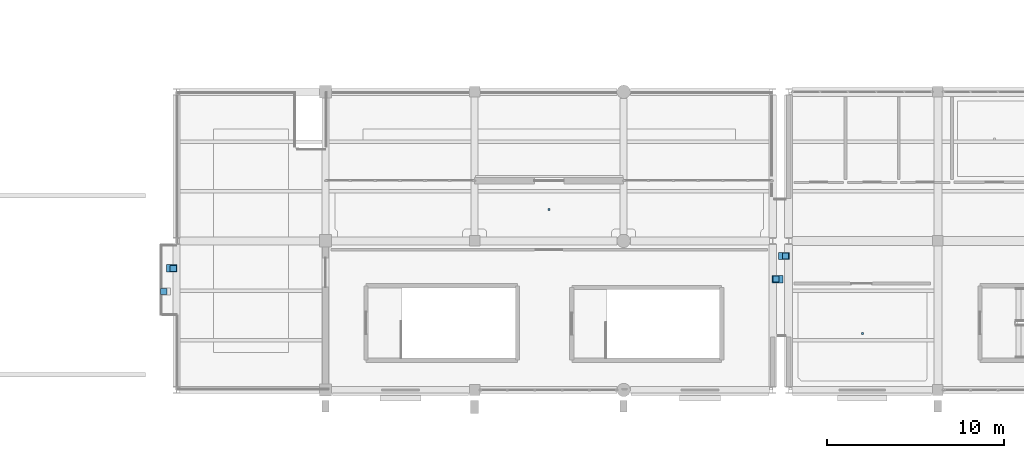
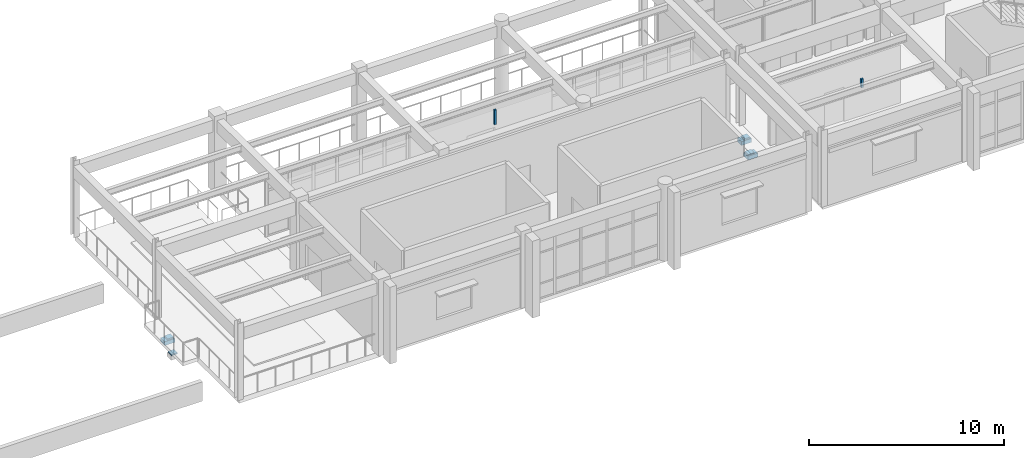
# One storey, part 117 of 139: 9 discrete accessories.
"""IFC4 building model written with IfcOpenShell, lengths in metres."""

from ifc_helpers import new_model, si_unit, direction, frame, origin, origin_2d, place, context, subcontext, project, spatial, rectangle, extrude, material, layer, layer_set, type_object, element, save


model = new_model("IFC4")

# Units and contexts
model_context = context("Model", 3, precision=1e-05, world=origin(), true_north=direction((0.0, 1.0)))
body_context = subcontext(model_context, "Body", "Model", "MODEL_VIEW")
ifc_project = project(units=[si_unit("LENGTHUNIT", "METRE"), si_unit("AREAUNIT", "SQUARE_METRE"), si_unit("VOLUMEUNIT", "CUBIC_METRE"), si_unit("PLANEANGLEUNIT", "RADIAN"), si_unit("MASSUNIT", "GRAM", prefix="KILO")], contexts=[model_context])

# Site, building, storey
site_placement = place(None, origin())
site = spatial("IfcSite", under=ifc_project, at=site_placement, CompositionType="ELEMENT")
building_placement = place(site_placement, origin())
building = spatial("IfcBuilding", under=site, at=building_placement, Name="Canglan Escarpment Cableway Terminal", CompositionType="ELEMENT")
storey_placement = place(building_placement, frame((0.0, 0.0, 14.39990234375)))
storey = spatial("IfcBuildingStorey", under=building, at=storey_placement, Name="L03", CompositionType="ELEMENT", Elevation=14.39990234375)

# Discrete accessories
ifc_material_1 = material(Name="Steel Q355B", Category="steel")
ifc_layer_1 = layer(ifc_material_1, 0.159912109375, Name="Steel Q355B")
ifc_layer_set_1 = layer_set([ifc_layer_1], Name="Steel Q355B")
discrete_accessory_type_1 = type_object("IfcDiscreteAccessoryType", Name="ACC-BRACKET-01", PredefinedType="BRACKET", material=ifc_layer_set_1)
discrete_accessory_1_placement = place(storey_placement, frame((98.0, 18.179931640625, 3.6103515625), z_axis=(0.0, 0.0, 1.0), x_axis=(1.0, 0.0, 0.0)))
element("IfcDiscreteAccessory", 1, at=discrete_accessory_1_placement, inside=storey, type_object=discrete_accessory_type_1, Name="Suspended ceiling hanger bracket BK-01", PredefinedType="BRACKET", context=body_context, shape_type="SweptSolid", body=[
    extrude(rectangle(XDim=0.1201171875, YDim=0.1201171875, at=origin_2d()), origin(), (0.0, 0.0, 1.0), 0.909912109375),
])
discrete_accessory_2_placement = place(storey_placement, frame((115.64990234375, 11.17578125, 3.990234375), z_axis=(0.0, 0.0, 1.0), x_axis=(1.0, 0.0, 0.0)))
element("IfcDiscreteAccessory", 2, at=discrete_accessory_2_placement, inside=storey, type_object=discrete_accessory_type_1, Name="Suspended ceiling hanger bracket BK-01", PredefinedType="BRACKET", context=body_context, shape_type="SweptSolid", body=[
    extrude(rectangle(XDim=0.1201171875, YDim=0.1201171875, at=origin_2d()), origin(), (0.0, 0.0, 1.0), 0.530029296875),
])
ifc_material_2 = material(Name="Concrete C40", Category="concrete")
ifc_layer_2 = layer(ifc_material_2, 0.239990234375, Name="Concrete C40")
ifc_layer_set_2 = layer_set([ifc_layer_2], Name="Concrete C40")
discrete_accessory_type_2 = type_object("IfcDiscreteAccessoryType", Name="ACC-CORBEL-CB01", PredefinedType="BRACKET", material=ifc_layer_set_2)
for number, where, z_axis, x_axis, name in (
    (3, (76.735107421875, 14.85009765625, -0.5400390625), (0.0, 0.0, 1.0), (1.0, 0.0, 0.0), "Concrete C40 movement-joint corbel bearing ledge CB-01"),
    (4, (110.864990234375, 14.25, -0.5400390625), (0.0, 0.0, 1.0), (1.0, 0.0, 0.0), "Concrete C40 movement-joint corbel bearing ledge CB-01"),
    (5, (111.235107421875, 15.550048828125, -0.5400390625), (0.0, 0.0, 1.0), (1.0, 0.0, 0.0), "Concrete C40 movement-joint corbel bearing ledge CB-01"),
):
    element("IfcDiscreteAccessory", number, at=place(storey_placement, frame(where, z_axis=z_axis, x_axis=x_axis)), inside=storey, type_object=discrete_accessory_type_2, Name=name, PredefinedType="BRACKET", context=body_context, shape_type="SweptSolid", body=[
        extrude(rectangle(XDim=0.60009765625, YDim=0.419921875, at=origin_2d()), origin(), (0.0, 0.0, 1.0), 0.239990234375),
    ])
ifc_material_3 = material(Name="Stainless steel and PTFE elastomer", Category="steel")
ifc_layer_3 = layer(ifc_material_3, 0.080078125, Name="Stainless steel and PTFE elastomer")
ifc_layer_set_3 = layer_set([ifc_layer_3], Name="Stainless steel and PTFE elastomer")
discrete_accessory_type_3 = type_object("IfcDiscreteAccessoryType", Name="BRG-SLIDING-MJ01", PredefinedType="USERDEFINED", material=ifc_layer_set_3)
for number, where, z_axis, x_axis, name in (
    (6, (76.280029296875, 13.550048828125, -0.300048828125), (0.0, 0.0, 1.0), (1.0, 0.0, 0.0), "Unguided PTFE-elastomeric sliding bearing pad MJ-01"),
    (7, (76.81494140625, 14.85009765625, -0.300048828125), (0.0, 0.0, 1.0), (1.0, 0.0, 0.0), "Unguided PTFE-elastomeric sliding bearing pad MJ-01"),
    (8, (110.784912109375, 14.25, -0.300048828125), (0.0, 0.0, 1.0), (1.0, 0.0, 0.0), "Unguided PTFE-elastomeric sliding bearing pad MJ-01"),
    (9, (111.31494140625, 15.550048828125, -0.300048828125), (0.0, 0.0, 1.0), (1.0, 0.0, 0.0), "Unguided PTFE-elastomeric sliding bearing pad MJ-01"),
):
    element("IfcDiscreteAccessory", number, at=place(storey_placement, frame(where, z_axis=z_axis, x_axis=x_axis)), inside=storey, type_object=discrete_accessory_type_3, Name=name, ObjectType="SLIDING BEARING", PredefinedType="USERDEFINED", context=body_context, shape_type="SweptSolid", body=[
        extrude(rectangle(XDim=0.35009765625, YDim=0.35009765625, at=origin_2d()), origin(), (0.0, 0.0, 1.0), 0.080078125),
    ])

save(model, "model.ifc")
